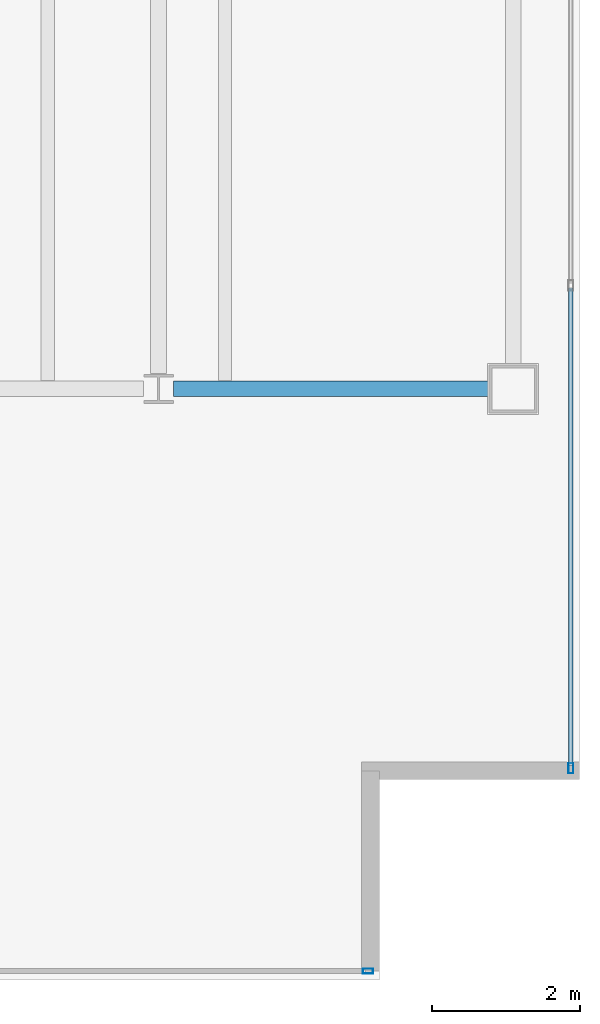
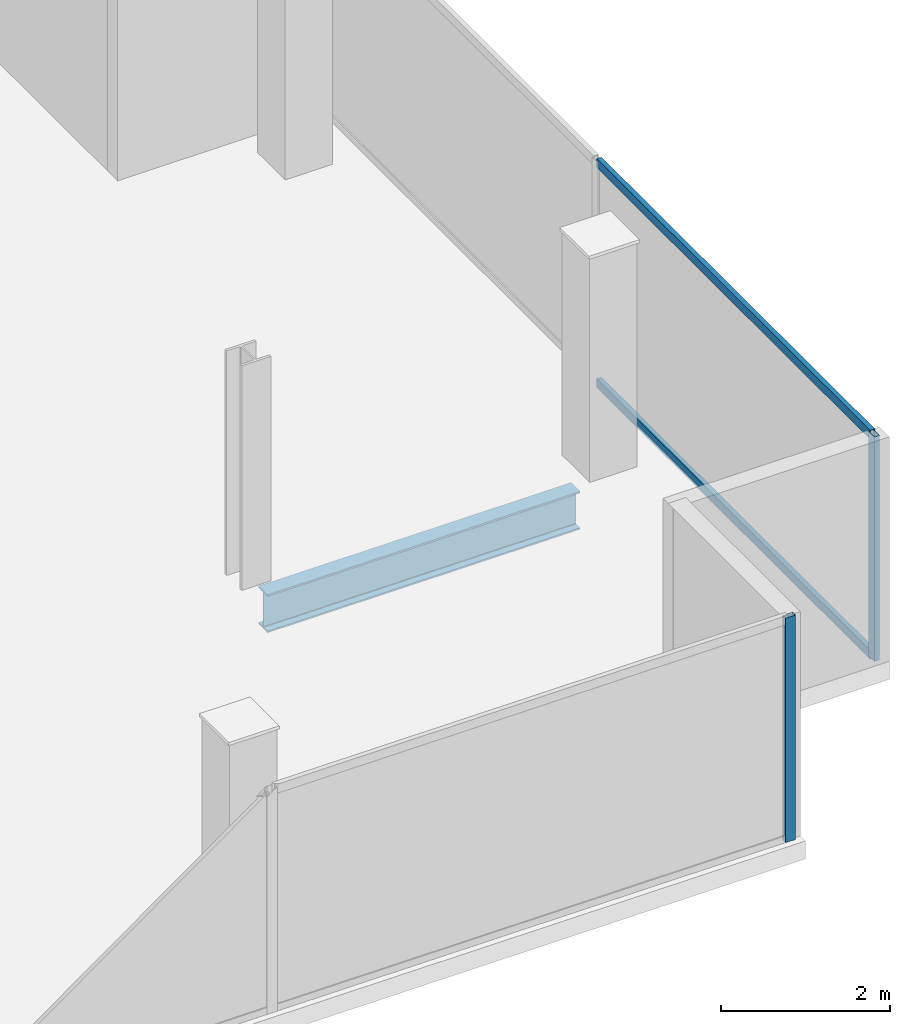
# One storey, part 14 of 24: 4 members, 1 beam, 2 elements without a shape of their own.
"""IFC4 building model written with IfcOpenShell, lengths in metres."""

from ifc_helpers import new_model, si_unit, direction, frame, origin, origin_2d, place, context, subcontext, project, spatial, hollow_rectangle, i_section, extrude, material, material_profile, profile_set, type_object, element, aggregate, save


model = new_model("IFC4")

# Units and contexts
model_context = context("Model", 3, precision=1e-05, world=origin(), true_north=direction((0.0, 1.0)))
body_context = subcontext(model_context, "Body", "Model", "MODEL_VIEW")
ifc_project = project(units=[si_unit("LENGTHUNIT", "METRE"), si_unit("AREAUNIT", "SQUARE_METRE"), si_unit("VOLUMEUNIT", "CUBIC_METRE"), si_unit("PLANEANGLEUNIT", "RADIAN"), si_unit("MASSUNIT", "GRAM", prefix="KILO")], contexts=[model_context])

# Site, building, storey
site_placement = place(None, origin())
site = spatial("IfcSite", under=ifc_project, at=site_placement, CompositionType="ELEMENT")
building_placement = place(site_placement, origin())
building = spatial("IfcBuilding", under=site, at=building_placement, Name="Cobrela Telecom Tower", CompositionType="ELEMENT")
storey_placement = place(building_placement, frame((0.0, 0.0, 290.14990234375)))
storey = spatial("IfcBuildingStorey", under=building, at=storey_placement, Name="L76", CompositionType="ELEMENT", Elevation=290.14990234375)

# Beam
ifc_material_1 = material(Name="Steel ASTM A992 Grade 50", Category="steel")
ifc_material_profile_1 = material_profile(ifc_material_1, i_section(OverallWidth=0.212890625, OverallDepth=0.549072265625, WebThickness=0.0146484375, FlangeThickness=0.023681640625, FilletRadius=0.013916015625, at=origin_2d()), Name="W21X93")
ifc_profile_set_1 = profile_set([ifc_material_profile_1], Name="Steel ASTM A992 Grade 50")
beam_type = type_object("IfcBeamType", Name="BM-GIRD-08", PredefinedType="USERDEFINED", material=ifc_profile_set_1)
beam_placement = place(storey_placement, frame((40.1044921875, 14.39990234375, -0.534423828125), z_axis=(1.0, 0.0, 0.0), x_axis=(0.0, 1.0, 0.0)))
element("IfcBeam", 1, at=beam_placement, inside=storey, type_object=beam_type, Name="L76 Primary Girder X09", ObjectType="GIRDER", PredefinedType="USERDEFINED", context=body_context, shape_type="SweptSolid", body=[
    extrude(i_section(OverallWidth=0.212890625, OverallDepth=0.549072265625, WebThickness=0.0146484375, FlangeThickness=0.023681640625, FilletRadius=0.013916015625, at=origin_2d()), origin(), (0.0, 0.0, 1.0), 4.265625),
])

# Curtain wall, member
ifc_material_2 = material(Name="Anodized Bronze Aluminium 6063-T6", Category="aluminium")
curtain_wall_type = type_object("IfcCurtainWallType", Name="CW-SYS-OFF-HI", PredefinedType="USERDEFINED", material=ifc_material_2)
curtain_wall_1_placement = place(storey_placement, origin())
curtain_wall_1 = element("IfcCurtainWall", 2, at=curtain_wall_1_placement, inside=storey, type_object=curtain_wall_type, Name="L76 Unitised Bronze Curtain Wall 12", ObjectType="UNITISED CURTAIN WALL", PredefinedType="USERDEFINED")
ifc_material_profile_2 = material_profile(ifc_material_2, hollow_rectangle(XDim=0.070068359375, YDim=0.139892578125, WallThickness=0.00390625, at=origin_2d()), Name="ALU 70x140x4")
ifc_profile_set_2 = profile_set([ifc_material_profile_2], Name="Anodized Bronze Aluminium 6063-T6")
member_type_1 = type_object("IfcMemberType", Name="CW-SYS-OFF-HI-MUL", PredefinedType="MULLION", material=ifc_profile_set_2)
member_1_placement = place(storey_placement, frame((45.47998046875, 9.264892578125, 0.0), z_axis=(0.0, 0.0, 1.0), x_axis=(1.0, 0.0, 0.0)))
member_1 = element("IfcMember", 3, at=member_1_placement, type_object=member_type_1, Name="CW-OFF-HI mullion 3", PredefinedType="MULLION", context=body_context, shape_type="SweptSolid", body=[
    extrude(hollow_rectangle(XDim=0.070068359375, YDim=0.139892578125, WallThickness=0.00390625, at=origin_2d()), origin(), (0.0, 0.0, 1.0), 3.239990234375),
])

curtain_wall_2_placement = place(storey_placement, origin())
curtain_wall_2 = element("IfcCurtainWall", 4, at=curtain_wall_2_placement, inside=storey, type_object=curtain_wall_type, Name="L76 Unitised Bronze Curtain Wall 15", ObjectType="UNITISED CURTAIN WALL", PredefinedType="USERDEFINED")
member_2_placement = place(storey_placement, frame((42.735107421875, 6.52001953125, 0.0), z_axis=(0.0, 0.0, 1.0), x_axis=(0.0, -1.0, 0.0)))
member_2 = element("IfcMember", 5, at=member_2_placement, type_object=member_type_1, Name="CW-OFF-HI mullion 1", PredefinedType="MULLION", context=body_context, shape_type="SweptSolid", body=[
    extrude(hollow_rectangle(XDim=0.070068359375, YDim=0.139892578125, WallThickness=0.00390625, at=origin_2d()), origin(), (0.0, 0.0, 1.0), 3.239990234375),
])
aggregate(curtain_wall_2, [member_2])

# Member
ifc_material_profile_3 = material_profile(ifc_material_2, hollow_rectangle(XDim=0.06494140625, YDim=0.1298828125, WallThickness=0.00390625, at=origin_2d()), Name="ALU 65x130x4")
ifc_profile_set_3 = profile_set([ifc_material_profile_3], Name="Anodized Bronze Aluminium 6063-T6")
member_type_2 = type_object("IfcMemberType", Name="CW-SYS-OFF-HI-TRN", PredefinedType="USERDEFINED", material=ifc_profile_set_3)
member_3_placement = place(storey_placement, frame((45.47998046875, 15.764892578125, 0.03271484375), z_axis=(0.0, -1.0, 0.0), x_axis=(1.0, 0.0, 0.0)))
member_3 = element("IfcMember", 6, at=member_3_placement, type_object=member_type_2, Name="CW-OFF-HI transom 2.1", ObjectType="TRANSOM", PredefinedType="USERDEFINED", context=body_context, shape_type="SweptSolid", body=[
    extrude(hollow_rectangle(XDim=0.06494140625, YDim=0.1298828125, WallThickness=0.00390625, at=origin_2d()), origin(), (0.0, 0.0, 1.0), 6.46484375),
])

member_4_placement = place(storey_placement, frame((45.47998046875, 15.764892578125, 3.20751953125), z_axis=(0.0, -1.0, 0.0), x_axis=(1.0, 0.0, 0.0)))
member_4 = element("IfcMember", 7, at=member_4_placement, type_object=member_type_2, Name="CW-OFF-HI transom 2.2", ObjectType="TRANSOM", PredefinedType="USERDEFINED", context=body_context, shape_type="SweptSolid", body=[
    extrude(hollow_rectangle(XDim=0.06494140625, YDim=0.1298828125, WallThickness=0.00390625, at=origin_2d()), origin(), (0.0, 0.0, 1.0), 6.46484375),
])

aggregate(curtain_wall_1, [member_1, member_3, member_4])

save(model, "model.ifc")
